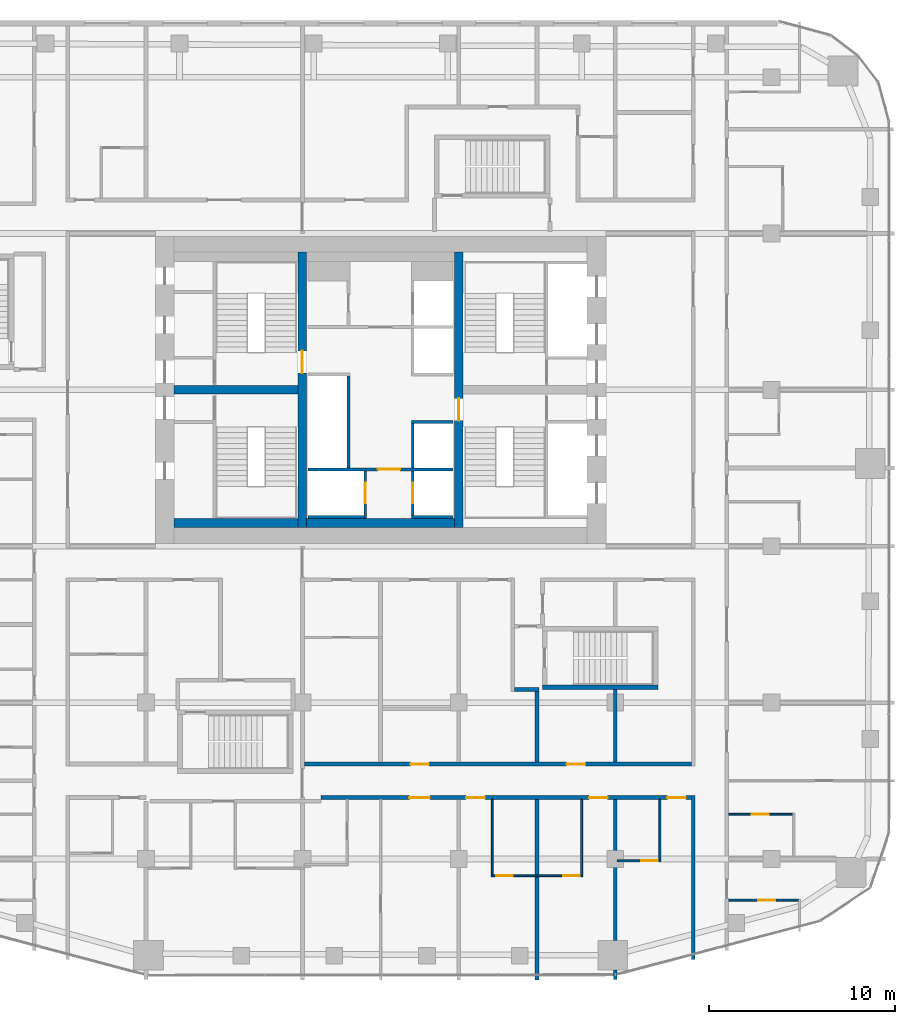
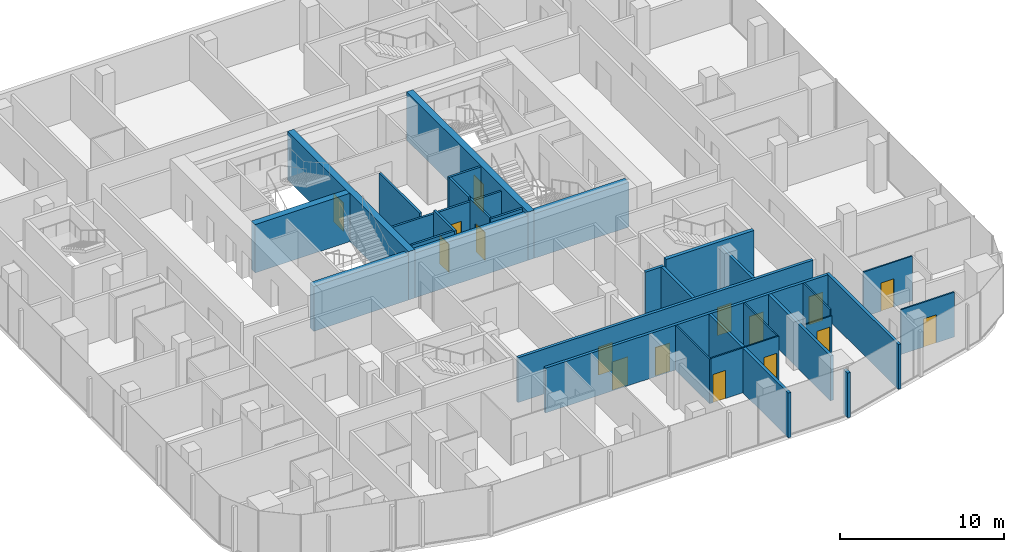
# One storey, part 16 of 23: 29 walls, 16 doors, 16 openings.
"""IFC4 building model written with IfcOpenShell, lengths in metres."""

from ifc_helpers import new_model, si_unit, direction, frame, frame_2d, origin, place, context, subcontext, project, spatial, rectangle, extrude, material, layer, layer_set, type_object, element, fill, save


model = new_model("IFC4")

# Units and contexts
model_context = context("Model", 3, precision=1e-05, world=origin(), true_north=direction((0.0, 1.0)))
body_context = subcontext(model_context, "Body", "Model", "MODEL_VIEW")
ifc_project = project(units=[si_unit("LENGTHUNIT", "METRE"), si_unit("AREAUNIT", "SQUARE_METRE"), si_unit("VOLUMEUNIT", "CUBIC_METRE"), si_unit("PLANEANGLEUNIT", "RADIAN"), si_unit("MASSUNIT", "GRAM", prefix="KILO")], contexts=[model_context])

# Site, building, storey
site_placement = place(None, origin())
site = spatial("IfcSite", under=ifc_project, at=site_placement, CompositionType="ELEMENT")
building_placement = place(site_placement, origin())
building = spatial("IfcBuilding", under=site, at=building_placement, Name="Marenta Gate Hotel Tower", CompositionType="ELEMENT")
storey_placement = place(building_placement, frame((0.0, 0.0, 148.10009765625)))
storey = spatial("IfcBuildingStorey", under=building, at=storey_placement, Name="L34", CompositionType="ELEMENT", Elevation=148.10009765625)

# Wall
ifc_material_1 = material(Name="Concrete C40", Category="concrete")
ifc_layer_1 = layer(ifc_material_1, 0.5)
ifc_layer_set_1 = layer_set([ifc_layer_1], Name="Concrete C40")
wall_type_1 = type_object("IfcWallType", Name="Core lining wall 500 REI 180", PredefinedType="PARTITIONING", material=ifc_layer_set_1)
wall_1_placement = place(storey_placement, frame((-11.10009765625, 1.25, 0.0), z_axis=(0.0, 0.0, 1.0), x_axis=(1.0, 0.0, 0.0)))
element("IfcWall", 1, at=wall_1_placement, inside=storey, type_object=wall_type_1, Name="L34-CP-LN-S", PredefinedType="PARTITIONING", context=body_context, shape_type="SweptSolid", body=[
    extrude(rectangle(XDim=22.2001953125, YDim=0.5, at=frame_2d((11.10009765625, 0.0))), origin(), (0.0, 0.0, 1.0), 3.33984375),
])

# Wall, opening, door
ifc_material_2 = material(Name="Concrete blockwork", Category="masonry")
ifc_layer_2 = layer(ifc_material_2, 0.14990234375)
ifc_layer_set_2 = layer_set([ifc_layer_2], Name="Concrete blockwork")
wall_type_2 = type_object("IfcWallType", Name="Core lobby partition 150 REI 180", PredefinedType="PARTITIONING", material=ifc_layer_set_2)
wall_2_placement = place(storey_placement, frame((-3.89990234375, 4.125, 0.0), z_axis=(0.0, 0.0, 1.0), x_axis=(1.0, 0.0, 0.0)))
wall_2 = element("IfcWall", 2, at=wall_2_placement, inside=storey, type_object=wall_type_2, Name="L34-CP-CW-S", PredefinedType="PARTITIONING", context=body_context, shape_type="SweptSolid", body=[
    extrude(rectangle(XDim=7.7998046875, YDim=0.14990234375, at=frame_2d((3.89990234375, 0.0))), origin(), (0.0, 0.0, 1.0), 3.33984375),
])
opening_1_placement = place(wall_2_placement, frame((3.75, 0.0, 0.0)))
opening_1 = element("IfcOpeningElement", 3, at=opening_1_placement, cuts=wall_2, Name="Opening FD-FFS", PredefinedType="OPENING", context=body_context, shape_type="SweptSolid", body=[
    extrude(rectangle(XDim=1.199951171875, YDim=2.10009765625, at=frame_2d((0.60009765625, 1.050048828125))), frame((0.0, 0.074951171875, 0.0), z_axis=(0.0, -1.0, 0.0), x_axis=(1.0, 0.0, 0.0)), (0.0, 0.0, 1.0), 0.14990234375),
])
ifc_material_3 = material(Name="Steel", Category="steel")
door_type_1 = type_object("IfcDoorType", Name="Core lobby door 1200x2100 FD60", OperationType="SINGLE_SWING_LEFT", PredefinedType="DOOR", material=ifc_material_3)
door_1_placement = place(opening_1_placement, origin())
door_1 = element("IfcDoor", 4, at=door_1_placement, inside=storey, type_object=door_type_1, Name="FD-FFS", OperationType="SINGLE_SWING_LEFT", OverallHeight=2.10009765625, OverallWidth=1.199951171875, PredefinedType="DOOR", context=body_context, shape_type="SweptSolid", body=[
    extrude(rectangle(XDim=1.199951171875, YDim=2.10009765625, at=frame_2d((0.60009765625, 1.050048828125))), frame((0.0, 0.02490234375, 0.0), z_axis=(0.0, -1.0, 0.0), x_axis=(1.0, 0.0, 0.0)), (0.0, 0.0, 1.0), 0.050048828125),
])
fill(opening_1, door_1)

ifc_material_4 = material(Name="Concrete C40", Category="concrete")
ifc_layer_3 = layer(ifc_material_4, 0.14990234375)
ifc_layer_set_3 = layer_set([ifc_layer_3], Name="Concrete C40")
wall_type_3 = type_object("IfcWallType", Name="Core shaft wall 150 REI 180", PredefinedType="SHEAR", material=ifc_layer_set_3)
wall_3_placement = place(storey_placement, frame((-0.824951171875, 1.5, 0.0), z_axis=(0.0, 0.0, 1.0), x_axis=(0.0, 1.0, 0.0)))
wall_3 = element("IfcWall", 5, at=wall_3_placement, inside=storey, type_object=wall_type_3, Name="L34-SHF-CW-W-ff", PredefinedType="SHEAR", context=body_context, shape_type="SweptSolid", body=[
    extrude(rectangle(XDim=2.550048828125, YDim=0.14990234375, at=frame_2d((1.27490234375, 0.0))), origin(), (0.0, 0.0, 1.0), 3.599853515625),
])
opening_2_placement = place(wall_3_placement, frame((0.800048828125, 0.0, 0.0)))
opening_2 = element("IfcOpeningElement", 6, at=opening_2_placement, cuts=wall_3, Name="Opening LD-FF1", PredefinedType="OPENING", context=body_context, shape_type="SweptSolid", body=[
    extrude(rectangle(XDim=1.10009765625, YDim=2.10009765625, at=frame_2d((0.550048828125, 1.050048828125))), frame((0.0, 0.074951171875, 0.0), z_axis=(0.0, -1.0, 0.0), x_axis=(1.0, 0.0, 0.0)), (0.0, 0.0, 1.0), 0.14990234375),
])
ifc_material_5 = material(Name="Steel", Category="steel")
door_type_2 = type_object("IfcDoorType", Name="Core lift landing door 1100x2100 E 60", OperationType="SLIDING_TO_LEFT", PredefinedType="DOOR", material=ifc_material_5)
door_2_placement = place(opening_2_placement, origin())
door_2 = element("IfcDoor", 7, at=door_2_placement, inside=storey, type_object=door_type_2, Name="LD-FF1", OperationType="SLIDING_TO_LEFT", OverallHeight=2.10009765625, OverallWidth=1.10009765625, PredefinedType="DOOR", context=body_context, shape_type="SweptSolid", body=[
    extrude(rectangle(XDim=1.10009765625, YDim=2.10009765625, at=frame_2d((0.550048828125, 1.050048828125))), frame((0.0, 0.02490234375, 0.0), z_axis=(0.0, -1.0, 0.0), x_axis=(1.0, 0.0, 0.0)), (0.0, 0.0, 1.0), 0.050048828125),
])
fill(opening_2, door_2)

# Walls
wall_4_placement = place(storey_placement, frame((-3.89990234375, 1.574951171875, 0.0), z_axis=(0.0, 0.0, 1.0), x_axis=(1.0, 0.0, 0.0)))
element("IfcWall", 8, at=wall_4_placement, inside=storey, type_object=wall_type_3, Name="L34-SHF-CW-W-ffs", PredefinedType="SHEAR", context=body_context, shape_type="SweptSolid", body=[
    extrude(rectangle(XDim=3.0, YDim=0.14990234375, at=frame_2d((1.5, 0.0))), origin(), (0.0, 0.0, 1.0), 3.599853515625),
])
wall_5_placement = place(storey_placement, frame((-1.72509765625, 4.199951171875, 0.0), z_axis=(0.0, 0.0, 1.0), x_axis=(0.0, 1.0, 0.0)))
element("IfcWall", 9, at=wall_5_placement, inside=storey, type_object=wall_type_3, Name="L34-SHF-CW-W-front", PredefinedType="SHEAR", context=body_context, shape_type="SweptSolid", body=[
    extrude(rectangle(XDim=4.949951171875, YDim=0.14990234375, at=frame_2d((2.47509765625, 0.0))), origin(), (0.0, 0.0, 1.0), 3.599853515625),
])

# Wall, opening, door
wall_6_placement = place(storey_placement, frame((1.72509765625, 1.64990234375, 0.0), z_axis=(0.0, 0.0, 1.0), x_axis=(0.0, 1.0, 0.0)))
wall_6 = element("IfcWall", 10, at=wall_6_placement, inside=storey, type_object=wall_type_3, Name="L34-SHF-CE-S-ls", PredefinedType="SHEAR", context=body_context, shape_type="SweptSolid", body=[
    extrude(rectangle(XDim=2.400146484375, YDim=0.14990234375, at=frame_2d((1.2001953125, 0.0))), origin(), (0.0, 0.0, 1.0), 3.599853515625),
])
opening_3_placement = place(wall_6_placement, frame((0.64990234375, 0.0, 0.0)))
opening_3 = element("IfcOpeningElement", 11, at=opening_3_placement, cuts=wall_6, Name="Opening LD-SV1", PredefinedType="OPENING", context=body_context, shape_type="SweptSolid", body=[
    extrude(rectangle(XDim=1.10009765625, YDim=2.10009765625, at=frame_2d((0.550048828125, 1.050048828125))), frame((0.0, 0.074951171875, 0.0), z_axis=(0.0, -1.0, 0.0), x_axis=(1.0, 0.0, 0.0)), (0.0, 0.0, 1.0), 0.14990234375),
])
door_3_placement = place(opening_3_placement, origin())
door_3 = element("IfcDoor", 12, at=door_3_placement, inside=storey, type_object=door_type_2, Name="LD-SV1", OperationType="SLIDING_TO_LEFT", OverallHeight=2.10009765625, OverallWidth=1.10009765625, PredefinedType="DOOR", context=body_context, shape_type="SweptSolid", body=[
    extrude(rectangle(XDim=1.10009765625, YDim=2.10009765625, at=frame_2d((0.550048828125, 1.050048828125))), frame((0.0, 0.02490234375, 0.0), z_axis=(0.0, -1.0, 0.0), x_axis=(1.0, 0.0, 0.0)), (0.0, 0.0, 1.0), 0.050048828125),
])
fill(opening_3, door_3)

# Walls
for number, where, z_axis, x_axis, name in (
    (13, (1.64990234375, 1.574951171875, 0.0), (0.0, 0.0, 1.0), (1.0, 0.0, 0.0), "L34-SHF-CE-S-bot"),
    (14, (1.64990234375, 6.675048828125, 0.0), (0.0, 0.0, 1.0), (1.0, 0.0, 0.0), "L34-SHF-CE-sep1"),
):
    element("IfcWall", number, at=place(storey_placement, frame(where, z_axis=z_axis, x_axis=x_axis)), inside=storey, type_object=wall_type_3, Name=name, PredefinedType="SHEAR", context=body_context, shape_type="SweptSolid", body=[
        extrude(rectangle(XDim=2.25, YDim=0.14990234375, at=frame_2d((1.125, 0.0))), origin(), (0.0, 0.0, 1.0), 3.599853515625),
    ])
wall_7_placement = place(storey_placement, frame((1.72509765625, 4.199951171875, 0.0), z_axis=(0.0, 0.0, 1.0), x_axis=(0.0, 1.0, 0.0)))
element("IfcWall", 15, at=wall_7_placement, inside=storey, type_object=wall_type_3, Name="L34-SHF-CE-front-1", PredefinedType="SHEAR", context=body_context, shape_type="SweptSolid", body=[
    extrude(rectangle(XDim=2.400146484375, YDim=0.14990234375, at=frame_2d((1.2001953125, 0.0))), origin(), (0.0, 0.0, 1.0), 3.599853515625),
])

# Wall, opening, door
ifc_material_6 = material(Name="Concrete C70", Category="concrete")
ifc_layer_4 = layer(ifc_material_6, 0.449951171875)
ifc_layer_set_4 = layer_set([ifc_layer_4], Name="Concrete C70")
wall_type_4 = type_object("IfcWallType", Name="Core web 450 C70", PredefinedType="SHEAR", material=ifc_layer_set_4)
wall_8_placement = place(storey_placement, frame((-4.199951171875, 1.0, 0.0), z_axis=(0.0, 0.0, 1.0), x_axis=(0.0, 1.0, 0.0)))
wall_8 = element("IfcWall", 16, at=wall_8_placement, inside=storey, type_object=wall_type_4, Name="L34-CORE-W1", PredefinedType="SHEAR", context=body_context, shape_type="SweptSolid", body=[
    extrude(rectangle(XDim=14.800048828125, YDim=0.449951171875, at=frame_2d((7.39990234375, 0.0))), origin(), (0.0, 0.0, 1.0), 3.599853515625),
])
opening_4_placement = place(wall_8_placement, frame((8.300048828125, 0.0, 0.0)))
opening_4 = element("IfcOpeningElement", 17, at=opening_4_placement, cuts=wall_8, Name="Opening WD-W", PredefinedType="OPENING", context=body_context, shape_type="SweptSolid", body=[
    extrude(rectangle(XDim=1.199951171875, YDim=2.10009765625, at=frame_2d((0.60009765625, 1.050048828125))), frame((0.0, 0.22509765625, 0.0), z_axis=(0.0, -1.0, 0.0), x_axis=(1.0, 0.0, 0.0)), (0.0, 0.0, 1.0), 0.449951171875),
])
ifc_material_7 = material(Name="Steel", Category="steel")
door_type_3 = type_object("IfcDoorType", Name="Core stair door 1200x2100 FD60", OperationType="SINGLE_SWING_LEFT", PredefinedType="DOOR", material=ifc_material_7)
door_4_placement = place(opening_4_placement, origin())
door_4 = element("IfcDoor", 18, at=door_4_placement, inside=storey, type_object=door_type_3, Name="WD-W", OperationType="SINGLE_SWING_LEFT", OverallHeight=2.10009765625, OverallWidth=1.199951171875, PredefinedType="DOOR", context=body_context, shape_type="SweptSolid", body=[
    extrude(rectangle(XDim=1.199951171875, YDim=2.10009765625, at=frame_2d((0.60009765625, 1.050048828125))), frame((0.0, 0.02490234375, 0.0), z_axis=(0.0, -1.0, 0.0), x_axis=(1.0, 0.0, 0.0)), (0.0, 0.0, 1.0), 0.050048828125),
])
fill(opening_4, door_4)

wall_9_placement = place(storey_placement, frame((4.199951171875, 1.0, 0.0), z_axis=(0.0, 0.0, 1.0), x_axis=(0.0, 1.0, 0.0)))
wall_9 = element("IfcWall", 19, at=wall_9_placement, inside=storey, type_object=wall_type_4, Name="L34-CORE-W2", PredefinedType="SHEAR", context=body_context, shape_type="SweptSolid", body=[
    extrude(rectangle(XDim=14.800048828125, YDim=0.449951171875, at=frame_2d((7.39990234375, 0.0))), origin(), (0.0, 0.0, 1.0), 3.599853515625),
])
opening_5_placement = place(wall_9_placement, frame((5.75, 0.0, 0.0)))
opening_5 = element("IfcOpeningElement", 20, at=opening_5_placement, cuts=wall_9, Name="Opening WD-E", PredefinedType="OPENING", context=body_context, shape_type="SweptSolid", body=[
    extrude(rectangle(XDim=1.199951171875, YDim=2.10009765625, at=frame_2d((0.60009765625, 1.050048828125))), frame((0.0, 0.22509765625, 0.0), z_axis=(0.0, -1.0, 0.0), x_axis=(1.0, 0.0, 0.0)), (0.0, 0.0, 1.0), 0.449951171875),
])
door_5_placement = place(opening_5_placement, origin())
door_5 = element("IfcDoor", 21, at=door_5_placement, inside=storey, type_object=door_type_3, Name="WD-E", OperationType="SINGLE_SWING_LEFT", OverallHeight=2.10009765625, OverallWidth=1.199951171875, PredefinedType="DOOR", context=body_context, shape_type="SweptSolid", body=[
    extrude(rectangle(XDim=1.199951171875, YDim=2.10009765625, at=frame_2d((0.60009765625, 1.050048828125))), frame((0.0, 0.02490234375, 0.0), z_axis=(0.0, -1.0, 0.0), x_axis=(1.0, 0.0, 0.0)), (0.0, 0.0, 1.0), 0.050048828125),
])
fill(opening_5, door_5)

# Walls
wall_10_placement = place(storey_placement, frame((-11.10009765625, 8.39990234375, 0.0), z_axis=(0.0, 0.0, 1.0), x_axis=(1.0, 0.0, 0.0)))
element("IfcWall", 22, at=wall_10_placement, inside=storey, type_object=wall_type_4, Name="L34-CORE-W3", PredefinedType="SHEAR", context=body_context, shape_type="SweptSolid", body=[
    extrude(rectangle(XDim=6.675048828125, YDim=0.449951171875, at=frame_2d((3.33740234375, 0.0))), origin(), (0.0, 0.0, 1.0), 3.599853515625),
])
ifc_material_8 = material(Name="Concrete C40", Category="concrete")
ifc_layer_5 = layer(ifc_material_8, 0.25)
ifc_layer_set_5 = layer_set([ifc_layer_5], Name="Concrete C40")
wall_type_5 = type_object("IfcWallType", Name="Remote stair enclosure wall 250 REI 180", PredefinedType="SHEAR", material=ifc_layer_set_5)
wall_11_placement = place(storey_placement, frame((8.699951171875, -7.574951171875, 0.099853515625), z_axis=(0.0, 0.0, 1.0), x_axis=(1.0, 0.0, 0.0)))
element("IfcWall", 23, at=wall_11_placement, inside=storey, type_object=wall_type_5, Name="L34-RS-Z2-2-W1", PredefinedType="SHEAR", context=body_context, shape_type="SweptSolid", body=[
    extrude(rectangle(XDim=6.199951171875, YDim=0.25, at=frame_2d((3.10009765625, 0.0))), origin(), (0.0, 0.0, 1.0), 3.60009765625),
])

# Wall, openings, doors
ifc_material_9 = material(Name="Concrete blockwork", Category="masonry")
ifc_layer_6 = layer(ifc_material_9, 0.199951171875)
ifc_layer_set_6 = layer_set([ifc_layer_6], Name="Concrete blockwork")
wall_type_6 = type_object("IfcWallType", Name="Room corridor wall 200 EI 120", PredefinedType="PARTITIONING", material=ifc_layer_set_6)
wall_12_placement = place(storey_placement, frame((-4.10009765625, -11.699951171875, 0.0), z_axis=(0.0, 0.0, 1.0), x_axis=(1.0, 0.0, 0.0)))
wall_12 = element("IfcWall", 24, at=wall_12_placement, inside=storey, type_object=wall_type_6, Name="L34-PTN-W034", PredefinedType="PARTITIONING", context=body_context, shape_type="SweptSolid", body=[
    extrude(rectangle(XDim=20.800048828125, YDim=0.199951171875, at=frame_2d((10.39990234375, 0.0))), origin(), (0.0, 0.0, 1.0), 3.33984375),
])
opening_6_placement = place(wall_12_placement, frame((14.10009765625, 0.0, 0.0)))
opening_6 = element("IfcOpeningElement", 25, at=opening_6_placement, cuts=wall_12, Name="Opening G13-63", PredefinedType="OPENING", context=body_context, shape_type="SweptSolid", body=[
    extrude(rectangle(XDim=1.0, YDim=2.10009765625, at=frame_2d((0.5, 1.050048828125))), frame((0.0, 0.10009765625, 0.0), z_axis=(0.0, -1.0, 0.0), x_axis=(1.0, 0.0, 0.0)), (0.0, 0.0, 1.0), 0.199951171875),
])
opening_7_placement = place(wall_12_placement, frame((5.699951171875, 0.0, 0.0)))
opening_7 = element("IfcOpeningElement", 26, at=opening_7_placement, cuts=wall_12, Name="Opening G13-67", PredefinedType="OPENING", context=body_context, shape_type="SweptSolid", body=[
    extrude(rectangle(XDim=1.0, YDim=2.10009765625, at=frame_2d((0.5, 1.050048828125))), frame((0.0, 0.10009765625, 0.0), z_axis=(0.0, -1.0, 0.0), x_axis=(1.0, 0.0, 0.0)), (0.0, 0.0, 1.0), 0.199951171875),
])
ifc_material_10 = material(Name="Timber door leaf", Category="wood")
door_type_4 = type_object("IfcDoorType", Name="Room amenity door 1000x2100 EI 60", OperationType="NOTDEFINED", PredefinedType="DOOR", material=ifc_material_10)
door_6_placement = place(opening_6_placement, origin())
door_6 = element("IfcDoor", 27, at=door_6_placement, inside=storey, type_object=door_type_4, Name="L34-PD-D063", OperationType="SINGLE_SWING_LEFT", OverallHeight=2.10009765625, OverallWidth=1.0, PredefinedType="DOOR", context=body_context, shape_type="SweptSolid", body=[
    extrude(rectangle(XDim=1.0, YDim=2.10009765625, at=frame_2d((0.5, 1.050048828125))), frame((0.0, 0.02490234375, 0.0), z_axis=(0.0, -1.0, 0.0), x_axis=(1.0, 0.0, 0.0)), (0.0, 0.0, 1.0), 0.050048828125),
])
fill(opening_6, door_6)
door_7_placement = place(opening_7_placement, origin())
door_7 = element("IfcDoor", 28, at=door_7_placement, inside=storey, type_object=door_type_4, Name="L34-PD-D067", OperationType="SINGLE_SWING_LEFT", OverallHeight=2.10009765625, OverallWidth=1.0, PredefinedType="DOOR", context=body_context, shape_type="SweptSolid", body=[
    extrude(rectangle(XDim=1.0, YDim=2.10009765625, at=frame_2d((0.5, 1.050048828125))), frame((0.0, 0.02490234375, 0.0), z_axis=(0.0, -1.0, 0.0), x_axis=(1.0, 0.0, 0.0)), (0.0, 0.0, 1.0), 0.050048828125),
])
fill(opening_7, door_7)

# Wall
ifc_material_11 = material(Name="Gypsum board on steel stud", Category="steel")
ifc_layer_7 = layer(ifc_material_11, 0.199951171875)
ifc_layer_set_7 = layer_set([ifc_layer_7], Name="Gypsum board on steel stud")
wall_type_7 = type_object("IfcWallType", Name="Room corridor wall 200 EI 60", PredefinedType="PARTITIONING", material=ifc_layer_set_7)
wall_13_placement = place(storey_placement, frame((16.800048828125, -22.18603515625, 0.0), z_axis=(0.0, 0.0, 1.0), x_axis=(0.0, 1.0, 0.0)))
element("IfcWall", 29, at=wall_13_placement, inside=storey, type_object=wall_type_7, Name="L34-PTN-W015", PredefinedType="PARTITIONING", context=body_context, shape_type="SweptSolid", body=[
    extrude(rectangle(XDim=8.7861328125, YDim=0.199951171875, at=frame_2d((4.39306640625, 0.0))), origin(), (0.0, 0.0, 1.0), 3.33984375),
])

# Wall, openings, doors
wall_14_placement = place(storey_placement, frame((-3.199951171875, -13.5, 0.0), z_axis=(0.0, 0.0, 1.0), x_axis=(1.0, 0.0, 0.0)))
wall_14 = element("IfcWall", 30, at=wall_14_placement, inside=storey, type_object=wall_type_7, Name="L34-PTN-W026", PredefinedType="PARTITIONING", context=body_context, shape_type="SweptSolid", body=[
    extrude(rectangle(XDim=19.89990234375, YDim=0.199951171875, at=frame_2d((9.949951171875, 0.0))), origin(), (0.0, 0.0, 1.0), 3.33984375),
])
opening_8_placement = place(wall_14_placement, frame((4.75, 0.0, 0.0)))
opening_8 = element("IfcOpeningElement", 31, at=opening_8_placement, cuts=wall_14, Name="Opening G13-34", PredefinedType="OPENING", context=body_context, shape_type="SweptSolid", body=[
    extrude(rectangle(XDim=1.10009765625, YDim=2.10009765625, at=frame_2d((0.550048828125, 1.050048828125))), frame((0.0, 0.10009765625, 0.0), z_axis=(0.0, -1.0, 0.0), x_axis=(1.0, 0.0, 0.0)), (0.0, 0.0, 1.0), 0.199951171875),
])
opening_9_placement = place(wall_14_placement, frame((7.800048828125, 0.0, 0.0)))
opening_9 = element("IfcOpeningElement", 32, at=opening_9_placement, cuts=wall_14, Name="Opening G13-37", PredefinedType="OPENING", context=body_context, shape_type="SweptSolid", body=[
    extrude(rectangle(XDim=1.0, YDim=2.10009765625, at=frame_2d((0.5, 1.050048828125))), frame((0.0, 0.10009765625, 0.0), z_axis=(0.0, -1.0, 0.0), x_axis=(1.0, 0.0, 0.0)), (0.0, 0.0, 1.0), 0.199951171875),
])
opening_10_placement = place(wall_14_placement, frame((14.39990234375, 0.0, 0.0)))
opening_10 = element("IfcOpeningElement", 33, at=opening_10_placement, cuts=wall_14, Name="Opening G13-39", PredefinedType="OPENING", context=body_context, shape_type="SweptSolid", body=[
    extrude(rectangle(XDim=1.0, YDim=2.10009765625, at=frame_2d((0.5, 1.050048828125))), frame((0.0, 0.10009765625, 0.0), z_axis=(0.0, -1.0, 0.0), x_axis=(1.0, 0.0, 0.0)), (0.0, 0.0, 1.0), 0.199951171875),
])
opening_11_placement = place(wall_14_placement, frame((18.60009765625, 0.0, 0.0)))
opening_11 = element("IfcOpeningElement", 34, at=opening_11_placement, cuts=wall_14, Name="Opening G13-41", PredefinedType="OPENING", context=body_context, shape_type="SweptSolid", body=[
    extrude(rectangle(XDim=1.0, YDim=2.10009765625, at=frame_2d((0.5, 1.050048828125))), frame((0.0, 0.10009765625, 0.0), z_axis=(0.0, -1.0, 0.0), x_axis=(1.0, 0.0, 0.0)), (0.0, 0.0, 1.0), 0.199951171875),
])
ifc_material_12 = material(Name="Timber door leaf", Category="wood")
door_type_5 = type_object("IfcDoorType", Name="Guest room door 1000x2100 EI 30", OperationType="NOTDEFINED", PredefinedType="DOOR", material=ifc_material_12)
door_8_placement = place(opening_9_placement, origin())
door_8 = element("IfcDoor", 35, at=door_8_placement, inside=storey, type_object=door_type_5, Name="L34-PD-D037", OperationType="SINGLE_SWING_LEFT", OverallHeight=2.10009765625, OverallWidth=1.0, PredefinedType="DOOR", context=body_context, shape_type="SweptSolid", body=[
    extrude(rectangle(XDim=1.0, YDim=2.10009765625, at=frame_2d((0.5, 1.050048828125))), frame((0.0, 0.02490234375, 0.0), z_axis=(0.0, -1.0, 0.0), x_axis=(1.0, 0.0, 0.0)), (0.0, 0.0, 1.0), 0.050048828125),
])
fill(opening_9, door_8)
door_9_placement = place(opening_10_placement, origin())
door_9 = element("IfcDoor", 36, at=door_9_placement, inside=storey, type_object=door_type_5, Name="L34-PD-D039", OperationType="SINGLE_SWING_LEFT", OverallHeight=2.10009765625, OverallWidth=1.0, PredefinedType="DOOR", context=body_context, shape_type="SweptSolid", body=[
    extrude(rectangle(XDim=1.0, YDim=2.10009765625, at=frame_2d((0.5, 1.050048828125))), frame((0.0, 0.02490234375, 0.0), z_axis=(0.0, -1.0, 0.0), x_axis=(1.0, 0.0, 0.0)), (0.0, 0.0, 1.0), 0.050048828125),
])
fill(opening_10, door_9)
door_10_placement = place(opening_11_placement, origin())
door_10 = element("IfcDoor", 37, at=door_10_placement, inside=storey, type_object=door_type_5, Name="L34-PD-D041", OperationType="SINGLE_SWING_LEFT", OverallHeight=2.10009765625, OverallWidth=1.0, PredefinedType="DOOR", context=body_context, shape_type="SweptSolid", body=[
    extrude(rectangle(XDim=1.0, YDim=2.10009765625, at=frame_2d((0.5, 1.050048828125))), frame((0.0, 0.02490234375, 0.0), z_axis=(0.0, -1.0, 0.0), x_axis=(1.0, 0.0, 0.0)), (0.0, 0.0, 1.0), 0.050048828125),
])
fill(opening_11, door_10)
ifc_material_13 = material(Name="Timber door leaf", Category="wood")
door_type_6 = type_object("IfcDoorType", Name="Guest room door 1100x2100 EI 30", OperationType="NOTDEFINED", PredefinedType="DOOR", material=ifc_material_13)
door_11_placement = place(opening_8_placement, origin())
door_11 = element("IfcDoor", 38, at=door_11_placement, inside=storey, type_object=door_type_6, Name="L34-PD-D034", OperationType="SINGLE_SWING_RIGHT", OverallHeight=2.10009765625, OverallWidth=1.10009765625, PredefinedType="DOOR", context=body_context, shape_type="SweptSolid", body=[
    extrude(rectangle(XDim=1.10009765625, YDim=2.10009765625, at=frame_2d((0.550048828125, 1.050048828125))), frame((0.0, 0.02490234375, 0.0), z_axis=(0.0, -1.0, 0.0), x_axis=(1.0, 0.0, 0.0)), (0.0, 0.0, 1.0), 0.050048828125),
])
fill(opening_8, door_11)

# Wall, opening, door
ifc_material_14 = material(Name="Gypsum board on steel stud", Category="steel")
ifc_layer_8 = layer(ifc_material_14, 0.10009765625)
ifc_layer_set_8 = layer_set([ifc_layer_8], Name="Gypsum board on steel stud")
wall_type_8 = type_object("IfcWallType", Name="Room partition 100", PredefinedType="PARTITIONING", material=ifc_layer_set_8)
wall_15_placement = place(storey_placement, frame((18.699951171875, -19.008056640625, 0.0), z_axis=(0.0, 0.0, 1.0), x_axis=(1.0, 0.0, 0.0)))
wall_15 = element("IfcWall", 39, at=wall_15_placement, inside=storey, type_object=wall_type_8, Name="L34-PTN-W008", PredefinedType="PARTITIONING", context=body_context, shape_type="SweptSolid", body=[
    extrude(rectangle(XDim=3.75, YDim=0.10009765625, at=frame_2d((1.875, 0.0))), origin(), (0.0, 0.0, 1.0), 3.33984375),
])
opening_12_placement = place(wall_15_placement, frame((1.594970703125, 0.0, 0.0)))
opening_12 = element("IfcOpeningElement", 40, at=opening_12_placement, cuts=wall_15, Name="Opening G13-09", PredefinedType="OPENING", context=body_context, shape_type="SweptSolid", body=[
    extrude(rectangle(XDim=0.89990234375, YDim=2.10009765625, at=frame_2d((0.449951171875, 1.050048828125))), frame((0.0, 0.050048828125, 0.0), z_axis=(0.0, -1.0, 0.0), x_axis=(1.0, 0.0, 0.0)), (0.0, 0.0, 1.0), 0.10009765625),
])
ifc_material_15 = material(Name="Timber door leaf", Category="wood")
door_type_7 = type_object("IfcDoorType", Name="Guest bathroom door 900x2100", OperationType="NOTDEFINED", PredefinedType="DOOR", material=ifc_material_15)
door_12_placement = place(opening_12_placement, origin())
door_12 = element("IfcDoor", 41, at=door_12_placement, inside=storey, type_object=door_type_7, Name="L34-PD-D009", OperationType="SINGLE_SWING_RIGHT", OverallHeight=2.10009765625, OverallWidth=0.89990234375, PredefinedType="DOOR", context=body_context, shape_type="SweptSolid", body=[
    extrude(rectangle(XDim=0.89990234375, YDim=2.10009765625, at=frame_2d((0.449951171875, 1.050048828125))), frame((0.0, 0.02490234375, 0.0), z_axis=(0.0, -1.0, 0.0), x_axis=(1.0, 0.0, 0.0)), (0.0, 0.0, 1.0), 0.050048828125),
])
fill(opening_12, door_12)

# Wall, openings, doors
wall_16_placement = place(storey_placement, frame((6.050048828125, -17.699951171875, 0.0), z_axis=(0.0, 0.0, 1.0), x_axis=(1.0, 0.0, 0.0)))
wall_16 = element("IfcWall", 42, at=wall_16_placement, inside=storey, type_object=wall_type_8, Name="L34-PTN-W010", PredefinedType="PARTITIONING", context=body_context, shape_type="SweptSolid", body=[
    extrude(rectangle(XDim=4.800048828125, YDim=0.10009765625, at=frame_2d((2.39990234375, 0.0))), origin(), (0.0, 0.0, 1.0), 3.33984375),
])
opening_13_placement = place(wall_16_placement, frame((0.14990234375, 0.0, 0.0)))
opening_13 = element("IfcOpeningElement", 43, at=opening_13_placement, cuts=wall_16, Name="Opening G13-38", PredefinedType="OPENING", context=body_context, shape_type="SweptSolid", body=[
    extrude(rectangle(XDim=0.89990234375, YDim=2.10009765625, at=frame_2d((0.449951171875, 1.050048828125))), frame((0.0, 0.050048828125, 0.0), z_axis=(0.0, -1.0, 0.0), x_axis=(1.0, 0.0, 0.0)), (0.0, 0.0, 1.0), 0.10009765625),
])
opening_14_placement = place(wall_16_placement, frame((3.75, 0.0, 0.0)))
opening_14 = element("IfcOpeningElement", 44, at=opening_14_placement, cuts=wall_16, Name="Opening G13-40", PredefinedType="OPENING", context=body_context, shape_type="SweptSolid", body=[
    extrude(rectangle(XDim=0.89990234375, YDim=2.10009765625, at=frame_2d((0.449951171875, 1.050048828125))), frame((0.0, 0.050048828125, 0.0), z_axis=(0.0, -1.0, 0.0), x_axis=(1.0, 0.0, 0.0)), (0.0, 0.0, 1.0), 0.10009765625),
])
door_13_placement = place(opening_13_placement, origin())
door_13 = element("IfcDoor", 45, at=door_13_placement, inside=storey, type_object=door_type_7, Name="L34-PD-D038", OperationType="SINGLE_SWING_LEFT", OverallHeight=2.10009765625, OverallWidth=0.89990234375, PredefinedType="DOOR", context=body_context, shape_type="SweptSolid", body=[
    extrude(rectangle(XDim=0.89990234375, YDim=2.10009765625, at=frame_2d((0.449951171875, 1.050048828125))), frame((0.0, 0.02490234375, 0.0), z_axis=(0.0, -1.0, 0.0), x_axis=(1.0, 0.0, 0.0)), (0.0, 0.0, 1.0), 0.050048828125),
])
fill(opening_13, door_13)
door_14_placement = place(opening_14_placement, origin())
door_14 = element("IfcDoor", 46, at=door_14_placement, inside=storey, type_object=door_type_7, Name="L34-PD-D040", OperationType="SINGLE_SWING_RIGHT", OverallHeight=2.10009765625, OverallWidth=0.89990234375, PredefinedType="DOOR", context=body_context, shape_type="SweptSolid", body=[
    extrude(rectangle(XDim=0.89990234375, YDim=2.10009765625, at=frame_2d((0.449951171875, 1.050048828125))), frame((0.0, 0.02490234375, 0.0), z_axis=(0.0, -1.0, 0.0), x_axis=(1.0, 0.0, 0.0)), (0.0, 0.0, 1.0), 0.050048828125),
])
fill(opening_14, door_14)

# Wall, opening, door
wall_17_placement = place(storey_placement, frame((12.699951171875, -16.89990234375, 0.0), z_axis=(0.0, 0.0, 1.0), x_axis=(1.0, 0.0, 0.0)))
wall_17 = element("IfcWall", 47, at=wall_17_placement, inside=storey, type_object=wall_type_8, Name="L34-PTN-W014", PredefinedType="PARTITIONING", context=body_context, shape_type="SweptSolid", body=[
    extrude(rectangle(XDim=2.35009765625, YDim=0.10009765625, at=frame_2d((1.175048828125, 0.0))), origin(), (0.0, 0.0, 1.0), 2.889892578125),
])
opening_15_placement = place(wall_17_placement, frame((1.300048828125, 0.0, 0.0)))
opening_15 = element("IfcOpeningElement", 48, at=opening_15_placement, cuts=wall_17, Name="Opening G13-42", PredefinedType="OPENING", context=body_context, shape_type="SweptSolid", body=[
    extrude(rectangle(XDim=0.89990234375, YDim=2.10009765625, at=frame_2d((0.449951171875, 1.050048828125))), frame((0.0, 0.050048828125, 0.0), z_axis=(0.0, -1.0, 0.0), x_axis=(1.0, 0.0, 0.0)), (0.0, 0.0, 1.0), 0.10009765625),
])
door_15_placement = place(opening_15_placement, origin())
door_15 = element("IfcDoor", 49, at=door_15_placement, inside=storey, type_object=door_type_7, Name="L34-PD-D042", OperationType="SINGLE_SWING_RIGHT", OverallHeight=2.10009765625, OverallWidth=0.89990234375, PredefinedType="DOOR", context=body_context, shape_type="SweptSolid", body=[
    extrude(rectangle(XDim=0.89990234375, YDim=2.10009765625, at=frame_2d((0.449951171875, 1.050048828125))), frame((0.0, 0.02490234375, 0.0), z_axis=(0.0, -1.0, 0.0), x_axis=(1.0, 0.0, 0.0)), (0.0, 0.0, 1.0), 0.050048828125),
])
fill(opening_15, door_15)

# Wall
wall_18_placement = place(storey_placement, frame((15.0, -16.85009765625, 0.0), z_axis=(0.0, 0.0, 1.0), x_axis=(0.0, 1.0, 0.0)))
element("IfcWall", 50, at=wall_18_placement, inside=storey, type_object=wall_type_8, Name="L34-PTN-W021", PredefinedType="PARTITIONING", context=body_context, shape_type="SweptSolid", body=[
    extrude(rectangle(XDim=3.25, YDim=0.10009765625, at=frame_2d((1.625, 0.0))), origin(), (0.0, 0.0, 1.0), 3.33984375),
])

# Wall, opening, door
wall_19_placement = place(storey_placement, frame((18.699951171875, -14.39990234375, 0.0), z_axis=(0.0, 0.0, 1.0), x_axis=(1.0, 0.0, 0.0)))
wall_19 = element("IfcWall", 51, at=wall_19_placement, inside=storey, type_object=wall_type_8, Name="L34-PTN-W023", PredefinedType="PARTITIONING", context=body_context, shape_type="SweptSolid", body=[
    extrude(rectangle(XDim=3.449951171875, YDim=0.10009765625, at=frame_2d((1.72509765625, 0.0))), origin(), (0.0, 0.0, 1.0), 3.33984375),
])
opening_16_placement = place(wall_19_placement, frame((1.25, 0.0, 0.0)))
opening_16 = element("IfcOpeningElement", 52, at=opening_16_placement, cuts=wall_19, Name="Opening G13-12", PredefinedType="OPENING", context=body_context, shape_type="SweptSolid", body=[
    extrude(rectangle(XDim=0.89990234375, YDim=2.10009765625, at=frame_2d((0.449951171875, 1.050048828125))), frame((0.0, 0.050048828125, 0.0), z_axis=(0.0, -1.0, 0.0), x_axis=(1.0, 0.0, 0.0)), (0.0, 0.0, 1.0), 0.10009765625),
])
door_16_placement = place(opening_16_placement, origin())
door_16 = element("IfcDoor", 53, at=door_16_placement, inside=storey, type_object=door_type_7, Name="L34-PD-D012", OperationType="SINGLE_SWING_RIGHT", OverallHeight=2.10009765625, OverallWidth=0.89990234375, PredefinedType="DOOR", context=body_context, shape_type="SweptSolid", body=[
    extrude(rectangle(XDim=0.89990234375, YDim=2.10009765625, at=frame_2d((0.449951171875, 1.050048828125))), frame((0.0, 0.02490234375, 0.0), z_axis=(0.0, -1.0, 0.0), x_axis=(1.0, 0.0, 0.0)), (0.0, 0.0, 1.0), 0.050048828125),
])
fill(opening_16, door_16)

# Walls
wall_20_placement = place(storey_placement, frame((10.800048828125, -17.64990234375, 0.0), z_axis=(0.0, 0.0, 1.0), x_axis=(0.0, 1.0, 0.0)))
element("IfcWall", 54, at=wall_20_placement, inside=storey, type_object=wall_type_8, Name="L34-PTN-W035", PredefinedType="PARTITIONING", context=body_context, shape_type="SweptSolid", body=[
    extrude(rectangle(XDim=4.0498046875, YDim=0.10009765625, at=frame_2d((2.02490234375, 0.0))), origin(), (0.0, 0.0, 1.0), 3.33984375),
])
wall_21_placement = place(storey_placement, frame((6.0, -17.75, 0.0), z_axis=(0.0, 0.0, 1.0), x_axis=(0.0, 1.0, 0.0)))
element("IfcWall", 55, at=wall_21_placement, inside=storey, type_object=wall_type_8, Name="L34-PTN-W052", PredefinedType="PARTITIONING", context=body_context, shape_type="SweptSolid", body=[
    extrude(rectangle(XDim=4.14990234375, YDim=0.10009765625, at=frame_2d((2.074951171875, 0.0))), origin(), (0.0, 0.0, 1.0), 3.33984375),
])
ifc_material_16 = material(Name="Gypsum board on steel stud", Category="steel")
ifc_layer_9 = layer(ifc_material_16, 0.199951171875)
ifc_layer_set_9 = layer_set([ifc_layer_9], Name="Gypsum board on steel stud")
wall_type_9 = type_object("IfcWallType", Name="Room party wall 200 EI 60", PredefinedType="PARTITIONING", material=ifc_layer_set_9)
wall_22_placement = place(storey_placement, frame((12.60009765625, -23.26611328125, 0.0), z_axis=(0.0, 0.0, 1.0), x_axis=(0.0, 1.0, 0.0)))
element("IfcWall", 56, at=wall_22_placement, inside=storey, type_object=wall_type_9, Name="L34-PTN-W027", PredefinedType="PARTITIONING", context=body_context, shape_type="SweptSolid", body=[
    extrude(rectangle(XDim=0.4912109375, YDim=0.199951171875, at=frame_2d((0.24560546875, 0.0))), origin(), (0.0, 0.0, 1.0), 3.33984375),
])
wall_23_placement = place(storey_placement, frame((12.60009765625, -21.175048828125, 0.0), z_axis=(0.0, 0.0, 1.0), x_axis=(0.0, 1.0, 0.0)))
element("IfcWall", 57, at=wall_23_placement, inside=storey, type_object=wall_type_9, Name="L34-PTN-W122", PredefinedType="PARTITIONING", context=body_context, shape_type="SweptSolid", body=[
    extrude(rectangle(XDim=7.574951171875, YDim=0.199951171875, at=frame_2d((3.78759765625, 0.0))), origin(), (0.0, 0.0, 1.0), 3.33984375),
])
wall_24_placement = place(storey_placement, frame((12.60009765625, -11.60009765625, 0.0), z_axis=(0.0, 0.0, 1.0), x_axis=(0.0, 1.0, 0.0)))
element("IfcWall", 58, at=wall_24_placement, inside=storey, type_object=wall_type_9, Name="L34-PTN-W028", PredefinedType="PARTITIONING", context=body_context, shape_type="SweptSolid", body=[
    extrude(rectangle(XDim=3.900146484375, YDim=0.199951171875, at=frame_2d((1.9501953125, 0.0))), origin(), (0.0, 0.0, 1.0), 3.33984375),
])
wall_25_placement = place(storey_placement, frame((8.39990234375, -23.300048828125, 0.0), z_axis=(0.0, 0.0, 1.0), x_axis=(0.0, 1.0, 0.0)))
element("IfcWall", 59, at=wall_25_placement, inside=storey, type_object=wall_type_9, Name="L34-PTN-W041", PredefinedType="PARTITIONING", context=body_context, shape_type="SweptSolid", body=[
    extrude(rectangle(XDim=9.699951171875, YDim=0.199951171875, at=frame_2d((4.85009765625, 0.0))), origin(), (0.0, 0.0, 1.0), 3.33984375),
])
wall_26_placement = place(storey_placement, frame((8.39990234375, -11.60009765625, 0.0), z_axis=(0.0, 0.0, 1.0), x_axis=(0.0, 1.0, 0.0)))
element("IfcWall", 60, at=wall_26_placement, inside=storey, type_object=wall_type_9, Name="L34-PTN-W042", PredefinedType="PARTITIONING", context=body_context, shape_type="SweptSolid", body=[
    extrude(rectangle(XDim=3.800048828125, YDim=0.199951171875, at=frame_2d((1.89990234375, 0.0))), origin(), (0.0, 0.0, 1.0), 3.33984375),
])
ifc_material_17 = material(Name="Concrete blockwork", Category="masonry")
ifc_layer_10 = layer(ifc_material_17, 0.199951171875)
ifc_layer_set_10 = layer_set([ifc_layer_10], Name="Concrete blockwork")
wall_type_10 = type_object("IfcWallType", Name="Room party wall 200 REI 180", PredefinedType="PARTITIONING", material=ifc_layer_set_10)
wall_27_placement = place(storey_placement, frame((7.199951171875, -7.699951171875, 0.0), z_axis=(0.0, 0.0, 1.0), x_axis=(1.0, 0.0, 0.0)))
element("IfcWall", 61, at=wall_27_placement, inside=storey, type_object=wall_type_10, Name="L34-PTN-W046", PredefinedType="PARTITIONING", context=body_context, shape_type="SweptSolid", body=[
    extrude(rectangle(XDim=1.300048828125, YDim=0.199951171875, at=frame_2d((0.64990234375, 0.0))), origin(), (0.0, 0.0, 1.0), 3.33984375),
])

save(model, "model.ifc")
